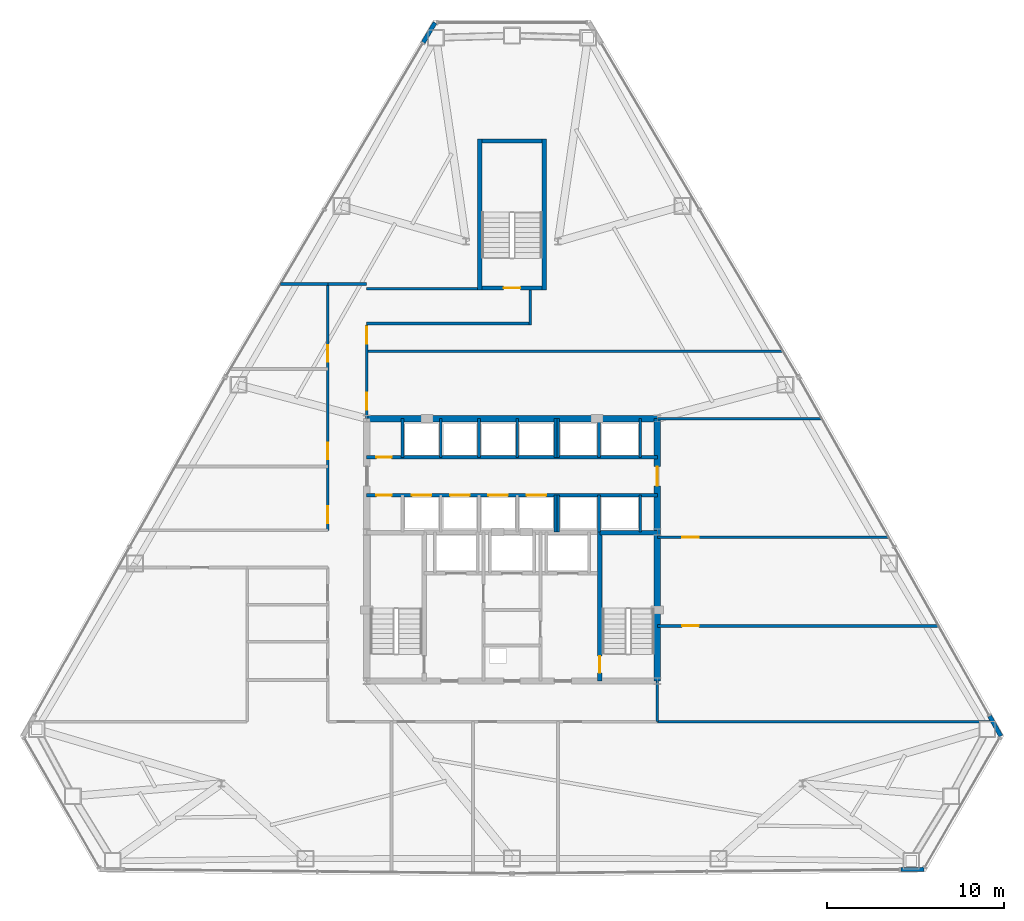
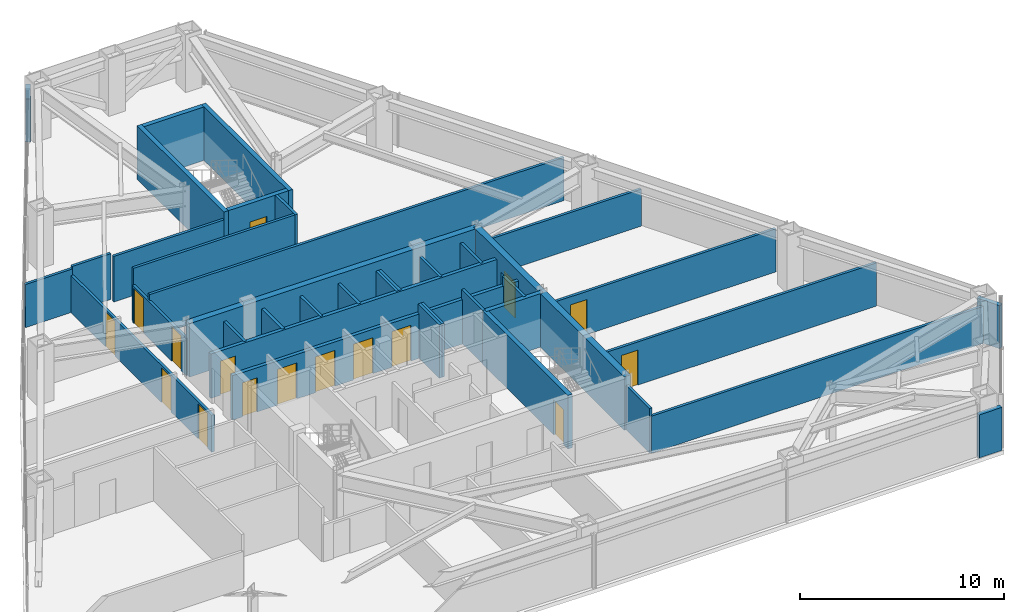
# One storey, part 11 of 13: 38 walls, 16 doors, 16 openings.
"""IFC4 building model written with IfcOpenShell, lengths in metres."""

from ifc_helpers import new_model, si_unit, direction, frame, frame_2d, origin, place, context, subcontext, project, spatial, rectangle, extrude, material, layer, layer_set, type_object, element, fill, save


model = new_model("IFC4")

# Units and contexts
model_context = context("Model", 3, precision=1e-05, world=origin(), true_north=direction((0.0, 1.0)))
body_context = subcontext(model_context, "Body", "Model", "MODEL_VIEW")
ifc_project = project(units=[si_unit("LENGTHUNIT", "METRE"), si_unit("AREAUNIT", "SQUARE_METRE"), si_unit("VOLUMEUNIT", "CUBIC_METRE"), si_unit("PLANEANGLEUNIT", "RADIAN"), si_unit("MASSUNIT", "GRAM", prefix="KILO")], contexts=[model_context])

# Site, building, storey
site_placement = place(None, origin())
site = spatial("IfcSite", under=ifc_project, at=site_placement, CompositionType="ELEMENT")
building_placement = place(site_placement, origin())
building = spatial("IfcBuilding", under=site, at=building_placement, Name="Varakhsha Concourse Tower", CompositionType="ELEMENT")
storey_placement = place(building_placement, frame((0.0, 0.0, 116.0)))
storey = spatial("IfcBuildingStorey", under=building, at=storey_placement, Name="L33", CompositionType="ELEMENT", Elevation=116.0)

# Wall
ifc_material_1 = material(Name="Concrete fc 65 MPa", Category="concrete")
ifc_layer_1 = layer(ifc_material_1, 0.35009765625, Name="WL-CORE-350")
ifc_layer_set_1 = layer_set([ifc_layer_1], Name="Concrete fc 65 MPa")
wall_type_1 = type_object("IfcWallType", Name="WL-CORE-350", PredefinedType="SHEAR", material=ifc_layer_set_1)
wall_1_placement = place(storey_placement, frame((31.800048828125, 31.199951171875, 0.0), z_axis=(0.0, 0.0, 1.0), x_axis=(1.0, 0.0, 0.0)))
element("IfcWall", 1, at=wall_1_placement, inside=storey, type_object=wall_type_1, Name="L33 Wall CWALL-N-L33", PredefinedType="SHEAR", context=body_context, shape_type="SweptSolid", body=[
    extrude(rectangle(XDim=16.39990234375, YDim=0.35009765625, at=frame_2d((8.199951171875, 0.0))), origin(), (0.0, 0.0, 1.0), 3.2099609375),
])

# Wall, opening, door
wall_2_placement = place(storey_placement, frame((48.199951171875, 16.39990234375, 0.0), z_axis=(0.0, 0.0, 1.0), x_axis=(0.0, 1.0, 0.0)))
wall_2 = element("IfcWall", 2, at=wall_2_placement, inside=storey, type_object=wall_type_1, Name="L33 Wall CWALL-E-L33", PredefinedType="SHEAR", context=body_context, shape_type="SweptSolid", body=[
    extrude(rectangle(XDim=14.800048828125, YDim=0.35009765625, at=frame_2d((7.39990234375, 0.0))), origin(), (0.0, 0.0, 1.0), 3.2099609375),
])
opening_1_placement = place(wall_2_placement, frame((11.0, 0.0, 0.0)))
opening_1 = element("IfcOpeningElement", 3, at=opening_1_placement, cuts=wall_2, Name="Opening DL-01", PredefinedType="OPENING", context=body_context, shape_type="SweptSolid", body=[
    extrude(rectangle(XDim=1.10009765625, YDim=2.14990234375, at=frame_2d((0.550048828125, 1.074951171875))), frame((0.0, 0.18505859375, 0.0), z_axis=(0.0, -1.0, 0.0), x_axis=(1.0, 0.0, 0.0)), (0.0, 0.0, 1.0), 0.3701171875),
])
ifc_material_2 = material(Name="Anodised Bronze Architectural Aluminium AA 6063-T6", Category="aluminium")
door_type_1 = type_object("IfcDoorType", Name="DR-LOB-1100", OperationType="NOTDEFINED", PredefinedType="DOOR", material=ifc_material_2)
door_1_placement = place(opening_1_placement, origin())
door_1 = element("IfcDoor", 4, at=door_1_placement, inside=storey, type_object=door_type_1, Name="L33 Lift Lobby East Concourse Door", OperationType="SINGLE_SWING_RIGHT", OverallHeight=2.14990234375, OverallWidth=1.10009765625, PredefinedType="DOOR", context=body_context, shape_type="SweptSolid", body=[
    extrude(rectangle(XDim=1.10009765625, YDim=2.14990234375, at=frame_2d((0.550048828125, 1.074951171875))), frame((0.0, 0.02490234375, 0.0), z_axis=(0.0, -1.0, 0.0), x_axis=(1.0, 0.0, 0.0)), (0.0, 0.0, 1.0), 0.050048828125),
])
fill(opening_1, door_1)

# Walls
ifc_material_3 = material(Name="Concrete fc 45 MPa", Category="concrete")
ifc_layer_2 = layer(ifc_material_3, 0.239990234375, Name="WL-EXT-CRN-240")
ifc_layer_set_2 = layer_set([ifc_layer_2], Name="Concrete fc 45 MPa")
wall_type_2 = type_object("IfcWallType", Name="WL-EXT-CRN-240", PredefinedType="SHEAR", material=ifc_layer_set_2)
for number, where, z_axis, x_axis, name in (
    (5, (35.6552734375, 53.55615234375, 0.0), (0.0, 0.0, 1.0), (-0.508842797401, -0.860859458642, 0.0), "L33 Wind-Corner Shoulder Wall F2"),
    (6, (61.9462890625, 5.745849609375, 0.0), (0.0, 0.0, 1.0), (0.999948931405, 0.010106165506, 0.0), "L33 Wind-Corner Shoulder Wall F6"),
    (7, (67.595703125, 13.28466796875, 0.0), (0.0, 0.0, 1.0), (-0.4912738615, 0.871005162446, 0.0), "L33 Wind-Corner Shoulder Wall F8"),
):
    element("IfcWall", number, at=place(storey_placement, frame(where, z_axis=z_axis, x_axis=x_axis)), inside=storey, type_object=wall_type_2, Name=name, PredefinedType="SHEAR", context=body_context, shape_type="SweptSolid", body=[
        extrude(rectangle(XDim=1.304443359375, YDim=0.239990234375, at=frame_2d((0.65234375, 0.0))), origin(), (0.0, 0.0, 1.0), 2.5830078125),
    ])
ifc_material_4 = material(Name="Fire-Rated Type X Gypsum Partition Assembly", Category="gypsum")
ifc_layer_3 = layer(ifc_material_4, 0.14990234375, Name="WL-PART-150")
ifc_layer_set_3 = layer_set([ifc_layer_3], Name="Fire-Rated Type X Gypsum Partition Assembly")
wall_type_3 = type_object("IfcWallType", Name="WL-PART-150", PredefinedType="PARTITIONING", material=ifc_layer_set_3)
wall_3_placement = place(storey_placement, frame((48.199951171875, 14.10009765625, 0.0), z_axis=(0.0, 0.0, 1.0), x_axis=(0.0, 1.0, 0.0)))
element("IfcWall", 8, at=wall_3_placement, inside=storey, type_object=wall_type_3, Name="L33 Wall CRW-SE-L33", PredefinedType="PARTITIONING", context=body_context, shape_type="SweptSolid", body=[
    extrude(rectangle(XDim=2.2998046875, YDim=0.14990234375, at=frame_2d((1.14990234375, 0.0))), origin(), (0.0, 0.0, 1.0), 2.660888671875),
])

# Wall, openings, doors
wall_4_placement = place(storey_placement, frame((29.60009765625, 24.89990234375, 0.0), z_axis=(0.0, 0.0, 1.0), x_axis=(0.0, 1.0, 0.0)))
wall_4 = element("IfcWall", 9, at=wall_4_placement, inside=storey, type_object=wall_type_3, Name="L33 Wall CRW-WN-L33", PredefinedType="PARTITIONING", context=body_context, shape_type="SweptSolid", body=[
    extrude(rectangle(XDim=13.900146484375, YDim=0.14990234375, at=frame_2d((6.9501953125, 0.0))), origin(), (0.0, 0.0, 1.0), 2.22509765625),
])
opening_2_placement = place(wall_4_placement, frame((0.39990234375, 0.0, 0.0)))
opening_2 = element("IfcOpeningElement", 10, at=opening_2_placement, cuts=wall_4, Name="Opening DF-05", PredefinedType="OPENING", context=body_context, shape_type="SweptSolid", body=[
    extrude(rectangle(XDim=0.949951171875, YDim=2.10009765625, at=frame_2d((0.47509765625, 1.050048828125))), frame((0.0, 0.0849609375, 0.0), z_axis=(0.0, -1.0, 0.0), x_axis=(1.0, 0.0, 0.0)), (0.0, 0.0, 1.0), 0.169921875),
])
opening_3_placement = place(wall_4_placement, frame((4.0, 0.0, 0.0)))
opening_3 = element("IfcOpeningElement", 11, at=opening_3_placement, cuts=wall_4, Name="Opening DF-05", PredefinedType="OPENING", context=body_context, shape_type="SweptSolid", body=[
    extrude(rectangle(XDim=0.949951171875, YDim=2.10009765625, at=frame_2d((0.47509765625, 1.050048828125))), frame((0.0, 0.0849609375, 0.0), z_axis=(0.0, -1.0, 0.0), x_axis=(1.0, 0.0, 0.0)), (0.0, 0.0, 1.0), 0.169921875),
])
opening_4_placement = place(wall_4_placement, frame((9.5, 0.0, 0.0)))
opening_4 = element("IfcOpeningElement", 12, at=opening_4_placement, cuts=wall_4, Name="Opening DF-05", PredefinedType="OPENING", context=body_context, shape_type="SweptSolid", body=[
    extrude(rectangle(XDim=0.949951171875, YDim=2.10009765625, at=frame_2d((0.47509765625, 1.050048828125))), frame((0.0, 0.0849609375, 0.0), z_axis=(0.0, -1.0, 0.0), x_axis=(1.0, 0.0, 0.0)), (0.0, 0.0, 1.0), 0.169921875),
])
ifc_material_5 = material(Name="Hollow Galvanised Steel Fire Door Assembly", Category="steel")
door_type_2 = type_object("IfcDoorType", Name="DR-FD60-950", OperationType="NOTDEFINED", PredefinedType="DOOR", material=ifc_material_5)
door_2_placement = place(opening_2_placement, origin())
door_2 = element("IfcDoor", 13, at=door_2_placement, inside=storey, type_object=door_type_2, Name="L33 Chambers Break Kitchen L33-NW Door", OperationType="SINGLE_SWING_LEFT", OverallHeight=2.10009765625, OverallWidth=0.949951171875, PredefinedType="DOOR", context=body_context, shape_type="SweptSolid", body=[
    extrude(rectangle(XDim=0.949951171875, YDim=2.10009765625, at=frame_2d((0.47509765625, 1.050048828125))), frame((0.0, 0.02490234375, 0.0), z_axis=(0.0, -1.0, 0.0), x_axis=(1.0, 0.0, 0.0)), (0.0, 0.0, 1.0), 0.050048828125),
])
fill(opening_2, door_2)
door_3_placement = place(opening_3_placement, origin())
door_3 = element("IfcDoor", 14, at=door_3_placement, inside=storey, type_object=door_type_2, Name="L33 Senior Partner Chamber L33-W2 Door", OperationType="SINGLE_SWING_RIGHT", OverallHeight=2.10009765625, OverallWidth=0.949951171875, PredefinedType="DOOR", context=body_context, shape_type="SweptSolid", body=[
    extrude(rectangle(XDim=0.949951171875, YDim=2.10009765625, at=frame_2d((0.47509765625, 1.050048828125))), frame((0.0, 0.02490234375, 0.0), z_axis=(0.0, -1.0, 0.0), x_axis=(1.0, 0.0, 0.0)), (0.0, 0.0, 1.0), 0.050048828125),
])
fill(opening_3, door_3)
door_4_placement = place(opening_4_placement, origin())
door_4 = element("IfcDoor", 15, at=door_4_placement, inside=storey, type_object=door_type_2, Name="L33 Senior Partner Chamber L33-W3 Door", OperationType="SINGLE_SWING_LEFT", OverallHeight=2.10009765625, OverallWidth=0.949951171875, PredefinedType="DOOR", context=body_context, shape_type="SweptSolid", body=[
    extrude(rectangle(XDim=0.949951171875, YDim=2.10009765625, at=frame_2d((0.47509765625, 1.050048828125))), frame((0.0, 0.02490234375, 0.0), z_axis=(0.0, -1.0, 0.0), x_axis=(1.0, 0.0, 0.0)), (0.0, 0.0, 1.0), 0.050048828125),
])
fill(opening_4, door_4)

wall_5_placement = place(storey_placement, frame((31.800048828125, 31.199951171875, 0.0), z_axis=(0.0, 0.0, 1.0), x_axis=(0.0, 1.0, 0.0)))
wall_5 = element("IfcWall", 16, at=wall_5_placement, inside=storey, type_object=wall_type_3, Name="L33 Wall CRW-NE-L33", PredefinedType="PARTITIONING", context=body_context, shape_type="SweptSolid", body=[
    extrude(rectangle(XDim=5.300048828125, YDim=0.14990234375, at=frame_2d((2.64990234375, 0.0))), origin(), (0.0, 0.0, 1.0), 2.22509765625),
])
opening_5_placement = place(wall_5_placement, frame((0.5, 0.0, 0.0)))
opening_5 = element("IfcOpeningElement", 17, at=opening_5_placement, cuts=wall_5, Name="Opening DF-05", PredefinedType="OPENING", context=body_context, shape_type="SweptSolid", body=[
    extrude(rectangle(XDim=0.949951171875, YDim=2.10009765625, at=frame_2d((0.47509765625, 1.050048828125))), frame((0.0, 0.0849609375, 0.0), z_axis=(0.0, -1.0, 0.0), x_axis=(1.0, 0.0, 0.0)), (0.0, 0.0, 1.0), 0.169921875),
])
opening_6_placement = place(wall_5_placement, frame((4.22998046875, 0.0, 0.0)))
opening_6 = element("IfcOpeningElement", 18, at=opening_6_placement, cuts=wall_5, Name="Opening DF-05", PredefinedType="OPENING", context=body_context, shape_type="SweptSolid", body=[
    extrude(rectangle(XDim=0.949951171875, YDim=2.10009765625, at=frame_2d((0.47509765625, 1.050048828125))), frame((0.0, 0.0849609375, 0.0), z_axis=(0.0, -1.0, 0.0), x_axis=(1.0, 0.0, 0.0)), (0.0, 0.0, 1.0), 0.169921875),
])
door_5_placement = place(opening_5_placement, origin())
door_5 = element("IfcDoor", 19, at=door_5_placement, inside=storey, type_object=door_type_2, Name="L33 Mountain View Deposition Conference Room L33-NE1 Door", OperationType="SINGLE_SWING_RIGHT", OverallHeight=2.10009765625, OverallWidth=0.949951171875, PredefinedType="DOOR", context=body_context, shape_type="SweptSolid", body=[
    extrude(rectangle(XDim=0.949951171875, YDim=2.10009765625, at=frame_2d((0.47509765625, 1.050048828125))), frame((0.0, 0.02490234375, 0.0), z_axis=(0.0, -1.0, 0.0), x_axis=(1.0, 0.0, 0.0)), (0.0, 0.0, 1.0), 0.050048828125),
])
fill(opening_5, door_5)
door_6_placement = place(opening_6_placement, origin())
door_6 = element("IfcDoor", 20, at=door_6_placement, inside=storey, type_object=door_type_2, Name="L33 Apex Senior Partner Chamber L33-NE2 Door", OperationType="SINGLE_SWING_RIGHT", OverallHeight=2.10009765625, OverallWidth=0.949951171875, PredefinedType="DOOR", context=body_context, shape_type="SweptSolid", body=[
    extrude(rectangle(XDim=0.949951171875, YDim=2.10009765625, at=frame_2d((0.47509765625, 1.050048828125))), frame((0.0, 0.02490234375, 0.0), z_axis=(0.0, -1.0, 0.0), x_axis=(1.0, 0.0, 0.0)), (0.0, 0.0, 1.0), 0.050048828125),
])
fill(opening_6, door_6)

# Walls
wall_6_placement = place(storey_placement, frame((29.60009765625, 38.800048828125, 0.0), z_axis=(0.0, 0.0, 1.0), x_axis=(1.0, 0.0, 0.0)))
element("IfcWall", 21, at=wall_6_placement, inside=storey, type_object=wall_type_3, Name="L33 Wall CRW-NCAP-L33", PredefinedType="PARTITIONING", context=body_context, shape_type="SweptSolid", body=[
    extrude(rectangle(XDim=2.199951171875, YDim=0.14990234375, at=frame_2d((1.10009765625, 0.0))), origin(), (0.0, 0.0, 1.0), 2.742919921875),
])
wall_7_placement = place(storey_placement, frame((26.939453125, 38.800048828125, 0.0), z_axis=(0.0, 0.0, 1.0), x_axis=(1.0, 0.0, 0.0)))
element("IfcWall", 22, at=wall_7_placement, inside=storey, type_object=wall_type_3, Name="L33 Wall ODIV-NWT-L33", PredefinedType="PARTITIONING", context=body_context, shape_type="SweptSolid", body=[
    extrude(rectangle(XDim=2.66064453125, YDim=0.14990234375, at=frame_2d((1.330322265625, 0.0))), origin(), (0.0, 0.0, 1.0), 2.589111328125),
])
wall_8_placement = place(storey_placement, frame((48.199951171875, 31.199951171875, 0.0), z_axis=(0.0, 0.0, 1.0), x_axis=(1.0, 0.0, 0.0)))
element("IfcWall", 23, at=wall_8_placement, inside=storey, type_object=wall_type_3, Name="L33 Wall ODIV-NEB-L33", PredefinedType="PARTITIONING", context=body_context, shape_type="SweptSolid", body=[
    extrude(rectangle(XDim=9.288818359375, YDim=0.14990234375, at=frame_2d((4.64453125, 0.0))), origin(), (0.0, 0.0, 1.0), 2.22509765625),
])
wall_9_placement = place(storey_placement, frame((31.800048828125, 35.0, 0.0), z_axis=(0.0, 0.0, 1.0), x_axis=(1.0, 0.0, 0.0)))
element("IfcWall", 24, at=wall_9_placement, inside=storey, type_object=wall_type_3, Name="L33 Wall ODIV-NE1-L33", PredefinedType="PARTITIONING", context=body_context, shape_type="SweptSolid", body=[
    extrude(rectangle(XDim=23.50634765625, YDim=0.14990234375, at=frame_2d((11.753173828125, 0.0))), origin(), (0.0, 0.0, 1.0), 2.589111328125),
])
wall_10_placement = place(storey_placement, frame((48.199951171875, 14.10009765625, 0.0), z_axis=(0.0, 0.0, 1.0), x_axis=(1.0, 0.0, 0.0)))
element("IfcWall", 25, at=wall_10_placement, inside=storey, type_object=wall_type_3, Name="L33 Wall ODIV-EB0-L33", PredefinedType="PARTITIONING", context=body_context, shape_type="SweptSolid", body=[
    extrude(rectangle(XDim=18.93017578125, YDim=0.14990234375, at=frame_2d((9.465087890625, 0.0))), origin(), (0.0, 0.0, 1.0), 2.22509765625),
])

# Wall, opening, door
wall_11_placement = place(storey_placement, frame((48.199951171875, 19.5, 0.0), z_axis=(0.0, 0.0, 1.0), x_axis=(1.0, 0.0, 0.0)))
wall_11 = element("IfcWall", 26, at=wall_11_placement, inside=storey, type_object=wall_type_3, Name="L33 Wall ODIV-E1-L33", PredefinedType="PARTITIONING", context=body_context, shape_type="SweptSolid", body=[
    extrude(rectangle(XDim=15.885498046875, YDim=0.14990234375, at=frame_2d((7.94287109375, 0.0))), origin(), (0.0, 0.0, 1.0), 2.589111328125),
])
opening_7_placement = place(wall_11_placement, frame((1.39990234375, 0.0, 0.0)))
opening_7 = element("IfcOpeningElement", 27, at=opening_7_placement, cuts=wall_11, Name="Opening DF-05", PredefinedType="OPENING", context=body_context, shape_type="SweptSolid", body=[
    extrude(rectangle(XDim=0.949951171875, YDim=2.10009765625, at=frame_2d((0.47509765625, 1.050048828125))), frame((0.0, 0.0849609375, 0.0), z_axis=(0.0, -1.0, 0.0), x_axis=(1.0, 0.0, 0.0)), (0.0, 0.0, 1.0), 0.169921875),
])
door_7_placement = place(opening_7_placement, origin())
door_7 = element("IfcDoor", 28, at=door_7_placement, inside=storey, type_object=door_type_2, Name="L33 East Suite Interconnect Door 1", OperationType="SINGLE_SWING_LEFT", OverallHeight=2.10009765625, OverallWidth=0.949951171875, PredefinedType="DOOR", context=body_context, shape_type="SweptSolid", body=[
    extrude(rectangle(XDim=0.949951171875, YDim=2.10009765625, at=frame_2d((0.47509765625, 1.050048828125))), frame((0.0, 0.02490234375, 0.0), z_axis=(0.0, -1.0, 0.0), x_axis=(1.0, 0.0, 0.0)), (0.0, 0.0, 1.0), 0.050048828125),
])
fill(opening_7, door_7)

wall_12_placement = place(storey_placement, frame((48.199951171875, 24.5, 0.0), z_axis=(0.0, 0.0, 1.0), x_axis=(1.0, 0.0, 0.0)))
wall_12 = element("IfcWall", 29, at=wall_12_placement, inside=storey, type_object=wall_type_3, Name="L33 Wall ODIV-E2-L33", PredefinedType="PARTITIONING", context=body_context, shape_type="SweptSolid", body=[
    extrude(rectangle(XDim=13.06640625, YDim=0.14990234375, at=frame_2d((6.533203125, 0.0))), origin(), (0.0, 0.0, 1.0), 2.589111328125),
])
opening_8_placement = place(wall_12_placement, frame((1.39990234375, 0.0, 0.0)))
opening_8 = element("IfcOpeningElement", 30, at=opening_8_placement, cuts=wall_12, Name="Opening DF-05", PredefinedType="OPENING", context=body_context, shape_type="SweptSolid", body=[
    extrude(rectangle(XDim=0.949951171875, YDim=2.10009765625, at=frame_2d((0.47509765625, 1.050048828125))), frame((0.0, 0.0849609375, 0.0), z_axis=(0.0, -1.0, 0.0), x_axis=(1.0, 0.0, 0.0)), (0.0, 0.0, 1.0), 0.169921875),
])
door_8_placement = place(opening_8_placement, origin())
door_8 = element("IfcDoor", 31, at=door_8_placement, inside=storey, type_object=door_type_2, Name="L33 East Suite Interconnect Door 2", OperationType="SINGLE_SWING_RIGHT", OverallHeight=2.10009765625, OverallWidth=0.949951171875, PredefinedType="DOOR", context=body_context, shape_type="SweptSolid", body=[
    extrude(rectangle(XDim=0.949951171875, YDim=2.10009765625, at=frame_2d((0.47509765625, 1.050048828125))), frame((0.0, 0.02490234375, 0.0), z_axis=(0.0, -1.0, 0.0), x_axis=(1.0, 0.0, 0.0)), (0.0, 0.0, 1.0), 0.050048828125),
])
fill(opening_8, door_8)

# Walls
wall_13_placement = place(storey_placement, frame((31.800048828125, 36.574951171875, 0.0), z_axis=(0.0, 0.0, 1.0), x_axis=(1.0, 0.0, 0.0)))
element("IfcWall", 32, at=wall_13_placement, inside=storey, type_object=wall_type_3, Name="L33 Wall STLK-S-L33", PredefinedType="PARTITIONING", context=body_context, shape_type="SweptSolid", body=[
    extrude(rectangle(XDim=9.14990234375, YDim=0.14990234375, at=frame_2d((4.574951171875, 0.0))), origin(), (0.0, 0.0, 1.0), 3.2099609375),
])
wall_14_placement = place(storey_placement, frame((31.800048828125, 38.52490234375, 0.0), z_axis=(0.0, 0.0, 1.0), x_axis=(1.0, 0.0, 0.0)))
element("IfcWall", 33, at=wall_14_placement, inside=storey, type_object=wall_type_3, Name="L33 Wall STLK-N-L33", PredefinedType="PARTITIONING", context=body_context, shape_type="SweptSolid", body=[
    extrude(rectangle(XDim=6.25, YDim=0.14990234375, at=frame_2d((3.125, 0.0))), origin(), (0.0, 0.0, 1.0), 2.742919921875),
])
wall_15_placement = place(storey_placement, frame((41.02490234375, 36.5, 0.0), z_axis=(0.0, 0.0, 1.0), x_axis=(0.0, 1.0, 0.0)))
element("IfcWall", 34, at=wall_15_placement, inside=storey, type_object=wall_type_3, Name="L33 Wall STLK-E-L33", PredefinedType="PARTITIONING", context=body_context, shape_type="SweptSolid", body=[
    extrude(rectangle(XDim=1.949951171875, YDim=0.14990234375, at=frame_2d((0.97509765625, 0.0))), origin(), (0.0, 0.0, 1.0), 3.2099609375),
])

# Wall, opening, door
ifc_layer_4 = layer(ifc_material_4, 0.199951171875, Name="WL-SHAFT-220")
ifc_layer_set_4 = layer_set([ifc_layer_4], Name="Fire-Rated Type X Gypsum Partition Assembly")
wall_type_4 = type_object("IfcWallType", Name="WL-SHAFT-220", PredefinedType="SOLIDWALL", material=ifc_layer_set_4)
wall_16_placement = place(storey_placement, frame((31.800048828125, 29.02001953125, 0.0), z_axis=(0.0, 0.0, 1.0), x_axis=(1.0, 0.0, 0.0)))
wall_16 = element("IfcWall", 35, at=wall_16_placement, inside=storey, type_object=wall_type_4, Name="L33 Wall PLW-N-L33", PredefinedType="SOLIDWALL", context=body_context, shape_type="SweptSolid", body=[
    extrude(rectangle(XDim=16.39990234375, YDim=0.199951171875, at=frame_2d((8.199951171875, 0.0))), origin(), (0.0, 0.0, 1.0), 2.660888671875),
])
opening_9_placement = place(wall_16_placement, frame((0.550048828125, 0.0, 0.0)))
opening_9 = element("IfcOpeningElement", 36, at=opening_9_placement, cuts=wall_16, Name="Opening DF-07", PredefinedType="OPENING", context=body_context, shape_type="SweptSolid", body=[
    extrude(rectangle(XDim=0.85009765625, YDim=2.050048828125, at=frame_2d((0.425048828125, 1.02490234375))), frame((0.0, 0.10986328125, 0.0), z_axis=(0.0, -1.0, 0.0), x_axis=(1.0, 0.0, 0.0)), (0.0, 0.0, 1.0), 0.219970703125),
])
door_type_3 = type_object("IfcDoorType", Name="DR-FD60-850", OperationType="NOTDEFINED", PredefinedType="DOOR", material=ifc_material_5)
door_9_placement = place(opening_9_placement, origin())
door_9 = element("IfcDoor", 37, at=door_9_placement, inside=storey, type_object=door_type_3, Name="L33 Core Janitor Closet Door", OperationType="SINGLE_SWING_LEFT", OverallHeight=2.050048828125, OverallWidth=0.85009765625, PredefinedType="DOOR", context=body_context, shape_type="SweptSolid", body=[
    extrude(rectangle(XDim=0.85009765625, YDim=2.050048828125, at=frame_2d((0.425048828125, 1.02490234375))), frame((0.0, 0.02490234375, 0.0), z_axis=(0.0, -1.0, 0.0), x_axis=(1.0, 0.0, 0.0)), (0.0, 0.0, 1.0), 0.050048828125),
])
fill(opening_9, door_9)

# Wall, openings, doors
wall_17_placement = place(storey_placement, frame((31.800048828125, 26.8798828125, 0.0), z_axis=(0.0, 0.0, 1.0), x_axis=(1.0, 0.0, 0.0)))
wall_17 = element("IfcWall", 38, at=wall_17_placement, inside=storey, type_object=wall_type_4, Name="L33 Wall PLW-S-L33", PredefinedType="SOLIDWALL", context=body_context, shape_type="SweptSolid", body=[
    extrude(rectangle(XDim=16.39990234375, YDim=0.199951171875, at=frame_2d((8.199951171875, 0.0))), origin(), (0.0, 0.0, 1.0), 2.660888671875),
])
opening_10_placement = place(wall_17_placement, frame((0.550048828125, 0.0, 0.0)))
opening_10 = element("IfcOpeningElement", 39, at=opening_10_placement, cuts=wall_17, Name="Opening DF-07", PredefinedType="OPENING", context=body_context, shape_type="SweptSolid", body=[
    extrude(rectangle(XDim=0.85009765625, YDim=2.050048828125, at=frame_2d((0.425048828125, 1.02490234375))), frame((0.0, 0.10986328125, 0.0), z_axis=(0.0, -1.0, 0.0), x_axis=(1.0, 0.0, 0.0)), (0.0, 0.0, 1.0), 0.219970703125),
])
opening_11_placement = place(wall_17_placement, frame((2.550048828125, 0.0, 0.0)))
opening_11 = element("IfcOpeningElement", 40, at=opening_11_placement, cuts=wall_17, Name="Opening LD-LF-P05", PredefinedType="OPENING", context=body_context, shape_type="SweptSolid", body=[
    extrude(rectangle(XDim=1.10009765625, YDim=2.14990234375, at=frame_2d((0.550048828125, 1.074951171875))), frame((0.0, 0.10986328125, 0.0), z_axis=(0.0, -1.0, 0.0), x_axis=(1.0, 0.0, 0.0)), (0.0, 0.0, 1.0), 0.219970703125),
])
opening_12_placement = place(wall_17_placement, frame((4.7099609375, 0.0, 0.0)))
opening_12 = element("IfcOpeningElement", 41, at=opening_12_placement, cuts=wall_17, Name="Opening LD-LF-P06", PredefinedType="OPENING", context=body_context, shape_type="SweptSolid", body=[
    extrude(rectangle(XDim=1.10009765625, YDim=2.14990234375, at=frame_2d((0.550048828125, 1.074951171875))), frame((0.0, 0.10986328125, 0.0), z_axis=(0.0, -1.0, 0.0), x_axis=(1.0, 0.0, 0.0)), (0.0, 0.0, 1.0), 0.219970703125),
])
opening_13_placement = place(wall_17_placement, frame((6.8701171875, 0.0, 0.0)))
opening_13 = element("IfcOpeningElement", 42, at=opening_13_placement, cuts=wall_17, Name="Opening LD-LF-P07", PredefinedType="OPENING", context=body_context, shape_type="SweptSolid", body=[
    extrude(rectangle(XDim=1.10009765625, YDim=2.14990234375, at=frame_2d((0.550048828125, 1.074951171875))), frame((0.0, 0.10986328125, 0.0), z_axis=(0.0, -1.0, 0.0), x_axis=(1.0, 0.0, 0.0)), (0.0, 0.0, 1.0), 0.219970703125),
])
opening_14_placement = place(wall_17_placement, frame((9.030029296875, 0.0, 0.0)))
opening_14 = element("IfcOpeningElement", 43, at=opening_14_placement, cuts=wall_17, Name="Opening LD-LF-P08", PredefinedType="OPENING", context=body_context, shape_type="SweptSolid", body=[
    extrude(rectangle(XDim=1.10009765625, YDim=2.14990234375, at=frame_2d((0.550048828125, 1.074951171875))), frame((0.0, 0.10986328125, 0.0), z_axis=(0.0, -1.0, 0.0), x_axis=(1.0, 0.0, 0.0)), (0.0, 0.0, 1.0), 0.219970703125),
])
door_10_placement = place(opening_10_placement, origin())
door_10 = element("IfcDoor", 44, at=door_10_placement, inside=storey, type_object=door_type_3, Name="L33 Core Telecoms Closet Door", OperationType="SINGLE_SWING_RIGHT", OverallHeight=2.050048828125, OverallWidth=0.85009765625, PredefinedType="DOOR", context=body_context, shape_type="SweptSolid", body=[
    extrude(rectangle(XDim=0.85009765625, YDim=2.050048828125, at=frame_2d((0.425048828125, 1.02490234375))), frame((0.0, 0.02490234375, 0.0), z_axis=(0.0, -1.0, 0.0), x_axis=(1.0, 0.0, 0.0)), (0.0, 0.0, 1.0), 0.050048828125),
])
fill(opening_10, door_10)
ifc_material_6 = material(Name="Brushed Austenitic Stainless Steel AISI 316", Category="steel")
door_type_4 = type_object("IfcDoorType", Name="DR-LD-1100", OperationType="DOUBLE_DOOR_SLIDING", PredefinedType="DOOR", material=ifc_material_6)
door_11_placement = place(opening_11_placement, origin())
door_11 = element("IfcDoor", 45, at=door_11_placement, inside=storey, type_object=door_type_4, Name="Lift Landing Door LF-P05 L33", OperationType="DOUBLE_DOOR_SLIDING", OverallHeight=2.14990234375, OverallWidth=1.10009765625, PredefinedType="DOOR", context=body_context, shape_type="SweptSolid", body=[
    extrude(rectangle(XDim=1.10009765625, YDim=2.14990234375, at=frame_2d((0.550048828125, 1.074951171875))), frame((0.0, 0.02490234375, 0.0), z_axis=(0.0, -1.0, 0.0), x_axis=(1.0, 0.0, 0.0)), (0.0, 0.0, 1.0), 0.050048828125),
])
fill(opening_11, door_11)
door_12_placement = place(opening_12_placement, origin())
door_12 = element("IfcDoor", 46, at=door_12_placement, inside=storey, type_object=door_type_4, Name="Lift Landing Door LF-P06 L33", OperationType="DOUBLE_DOOR_SLIDING", OverallHeight=2.14990234375, OverallWidth=1.10009765625, PredefinedType="DOOR", context=body_context, shape_type="SweptSolid", body=[
    extrude(rectangle(XDim=1.10009765625, YDim=2.14990234375, at=frame_2d((0.550048828125, 1.074951171875))), frame((0.0, 0.02490234375, 0.0), z_axis=(0.0, -1.0, 0.0), x_axis=(1.0, 0.0, 0.0)), (0.0, 0.0, 1.0), 0.050048828125),
])
fill(opening_12, door_12)
door_13_placement = place(opening_13_placement, origin())
door_13 = element("IfcDoor", 47, at=door_13_placement, inside=storey, type_object=door_type_4, Name="Lift Landing Door LF-P07 L33", OperationType="DOUBLE_DOOR_SLIDING", OverallHeight=2.14990234375, OverallWidth=1.10009765625, PredefinedType="DOOR", context=body_context, shape_type="SweptSolid", body=[
    extrude(rectangle(XDim=1.10009765625, YDim=2.14990234375, at=frame_2d((0.550048828125, 1.074951171875))), frame((0.0, 0.02490234375, 0.0), z_axis=(0.0, -1.0, 0.0), x_axis=(1.0, 0.0, 0.0)), (0.0, 0.0, 1.0), 0.050048828125),
])
fill(opening_13, door_13)
door_14_placement = place(opening_14_placement, origin())
door_14 = element("IfcDoor", 48, at=door_14_placement, inside=storey, type_object=door_type_4, Name="Lift Landing Door LF-P08 L33", OperationType="DOUBLE_DOOR_SLIDING", OverallHeight=2.14990234375, OverallWidth=1.10009765625, PredefinedType="DOOR", context=body_context, shape_type="SweptSolid", body=[
    extrude(rectangle(XDim=1.10009765625, YDim=2.14990234375, at=frame_2d((0.550048828125, 1.074951171875))), frame((0.0, 0.02490234375, 0.0), z_axis=(0.0, -1.0, 0.0), x_axis=(1.0, 0.0, 0.0)), (0.0, 0.0, 1.0), 0.050048828125),
])
fill(opening_14, door_14)

# Walls
for number, where, z_axis, x_axis, name in (
    (49, (33.820068359375, 29.02001953125, 0.0), (0.0, 0.0, 1.0), (0.0, 1.0, 0.0), "L33 Wall WBOH-E1-L33"),
    (50, (35.97998046875, 29.02001953125, 0.0), (0.0, 0.0, 1.0), (0.0, 1.0, 0.0), "L33 Wall SHW-LF-P01-E-L33"),
    (51, (38.139892578125, 29.02001953125, 0.0), (0.0, 0.0, 1.0), (0.0, 1.0, 0.0), "L33 Wall SHW-LF-P02-E-L33"),
    (52, (40.300048828125, 29.02001953125, 0.0), (0.0, 0.0, 1.0), (0.0, 1.0, 0.0), "L33 Wall SHW-LF-P03-E-L33"),
    (53, (42.4599609375, 29.02001953125, 0.0), (0.0, 0.0, 1.0), (0.0, 1.0, 0.0), "L33 Wall SHW-LF-P04-E-L33"),
):
    element("IfcWall", number, at=place(storey_placement, frame(where, z_axis=z_axis, x_axis=x_axis)), inside=storey, type_object=wall_type_4, Name=name, PredefinedType="SOLIDWALL", context=body_context, shape_type="SweptSolid", body=[
        extrude(rectangle(XDim=2.179931640625, YDim=0.159912109375, at=frame_2d((1.08984375, 0.0))), origin(), (0.0, 0.0, 1.0), 2.660888671875),
    ])
wall_18_placement = place(storey_placement, frame((42.4599609375, 24.800048828125, 0.0), z_axis=(0.0, 0.0, 1.0), x_axis=(0.0, 1.0, 0.0)))
element("IfcWall", 54, at=wall_18_placement, inside=storey, type_object=wall_type_4, Name="L33 Wall SHW-LF-P08-E-L33", PredefinedType="SOLIDWALL", context=body_context, shape_type="SweptSolid", body=[
    extrude(rectangle(XDim=2.079833984375, YDim=0.159912109375, at=frame_2d((1.0400390625, 0.0))), origin(), (0.0, 0.0, 1.0), 3.2099609375),
])
for number, where, z_axis, x_axis, name in (
    (55, (42.60009765625, 29.02001953125, 0.0), (0.0, 0.0, 1.0), (0.0, 1.0, 0.0), "L33 Wall SHW-LF-P09-W-L33"),
    (56, (44.919921875, 29.02001953125, 0.0), (0.0, 0.0, 1.0), (0.0, 1.0, 0.0), "L33 Wall SHW-LF-P09-E-L33"),
    (57, (47.239990234375, 29.02001953125, 0.0), (0.0, 0.0, 1.0), (0.0, 1.0, 0.0), "L33 Wall SHW-LF-P10-E-L33"),
):
    element("IfcWall", number, at=place(storey_placement, frame(where, z_axis=z_axis, x_axis=x_axis)), inside=storey, type_object=wall_type_4, Name=name, PredefinedType="SOLIDWALL", context=body_context, shape_type="SweptSolid", body=[
        extrude(rectangle(XDim=2.179931640625, YDim=0.159912109375, at=frame_2d((1.08984375, 0.0))), origin(), (0.0, 0.0, 1.0), 2.660888671875),
    ])
for number, where, z_axis, x_axis, name in (
    (58, (42.60009765625, 24.800048828125, 0.0), (0.0, 0.0, 1.0), (0.0, 1.0, 0.0), "L33 Wall SHW-LF-P11-W-L33"),
    (59, (44.919921875, 24.800048828125, 0.0), (0.0, 0.0, 1.0), (0.0, 1.0, 0.0), "L33 Wall SHW-LF-P11-E-L33"),
    (60, (47.239990234375, 24.800048828125, 0.0), (0.0, 0.0, 1.0), (0.0, 1.0, 0.0), "L33 Wall SHW-LF-P12-E-L33"),
):
    element("IfcWall", number, at=place(storey_placement, frame(where, z_axis=z_axis, x_axis=x_axis)), inside=storey, type_object=wall_type_4, Name=name, PredefinedType="SOLIDWALL", context=body_context, shape_type="SweptSolid", body=[
        extrude(rectangle(XDim=2.079833984375, YDim=0.159912109375, at=frame_2d((1.0400390625, 0.0))), origin(), (0.0, 0.0, 1.0), 3.2099609375),
    ])

# Wall, opening, door
ifc_layer_5 = layer(ifc_material_3, 0.25, Name="WL-STAIR-250")
ifc_layer_set_5 = layer_set([ifc_layer_5], Name="Concrete fc 45 MPa")
wall_type_5 = type_object("IfcWallType", Name="WL-STAIR-250", PredefinedType="SHEAR", material=ifc_layer_set_5)
wall_19_placement = place(storey_placement, frame((44.955078125, 16.39990234375, 0.0), z_axis=(0.0, 0.0, 1.0), x_axis=(0.0, 1.0, 0.0)))
wall_19 = element("IfcWall", 61, at=wall_19_placement, inside=storey, type_object=wall_type_5, Name="L33 Wall SWALL-ST2-W-L33", PredefinedType="SHEAR", context=body_context, shape_type="SweptSolid", body=[
    extrude(rectangle(XDim=8.400146484375, YDim=0.25, at=frame_2d((4.2001953125, 0.0))), origin(), (0.0, 0.0, 1.0), 3.2099609375),
])
opening_15_placement = place(wall_19_placement, frame((0.449951171875, 0.0, 0.0)))
opening_15 = element("IfcOpeningElement", 62, at=opening_15_placement, cuts=wall_19, Name="Opening DF-03", PredefinedType="OPENING", context=body_context, shape_type="SweptSolid", body=[
    extrude(rectangle(XDim=0.949951171875, YDim=2.10009765625, at=frame_2d((0.47509765625, 1.050048828125))), frame((0.0, 0.135009765625, 0.0), z_axis=(0.0, -1.0, 0.0), x_axis=(1.0, 0.0, 0.0)), (0.0, 0.0, 1.0), 0.27001953125),
])
door_type_5 = type_object("IfcDoorType", Name="DR-FD90-950", OperationType="NOTDEFINED", PredefinedType="DOOR", material=ifc_material_5)
door_15_placement = place(opening_15_placement, origin())
door_15 = element("IfcDoor", 63, at=door_15_placement, inside=storey, type_object=door_type_5, Name="L33 Stair ST2 Fire Door", OperationType="SINGLE_SWING_RIGHT", OverallHeight=2.10009765625, OverallWidth=0.949951171875, PredefinedType="DOOR", context=body_context, shape_type="SweptSolid", body=[
    extrude(rectangle(XDim=0.949951171875, YDim=2.10009765625, at=frame_2d((0.47509765625, 1.050048828125))), frame((0.0, 0.02490234375, 0.0), z_axis=(0.0, -1.0, 0.0), x_axis=(1.0, 0.0, 0.0)), (0.0, 0.0, 1.0), 0.050048828125),
])
fill(opening_15, door_15)

# Walls
wall_20_placement = place(storey_placement, frame((44.955078125, 24.7548828125, 0.0), z_axis=(0.0, 0.0, 1.0), x_axis=(1.0, 0.0, 0.0)))
element("IfcWall", 64, at=wall_20_placement, inside=storey, type_object=wall_type_5, Name="L33 Wall SWALL-ST2-N-L33", PredefinedType="SHEAR", context=body_context, shape_type="SweptSolid", body=[
    extrude(rectangle(XDim=3.244873046875, YDim=0.25, at=frame_2d((1.62255859375, 0.0))), origin(), (0.0, 0.0, 1.0), 3.2099609375),
])
for number, where, z_axis, x_axis, name in (
    (65, (38.175048828125, 38.449951171875, 0.0), (0.0, 0.0, 1.0), (0.0, 1.0, 0.0), "L33 Wall SWALL-ST5-W-L33"),
    (66, (41.824951171875, 38.449951171875, 0.0), (0.0, 0.0, 1.0), (0.0, 1.0, 0.0), "L33 Wall SWALL-ST5-E-L33"),
):
    element("IfcWall", number, at=place(storey_placement, frame(where, z_axis=z_axis, x_axis=x_axis)), inside=storey, type_object=wall_type_5, Name=name, PredefinedType="SHEAR", context=body_context, shape_type="SweptSolid", body=[
        extrude(rectangle(XDim=8.550048828125, YDim=0.25, at=frame_2d((4.27490234375, 0.0))), origin(), (0.0, 0.0, 1.0), 3.2099609375),
    ])

# Wall, opening, door
wall_21_placement = place(storey_placement, frame((38.300048828125, 38.574951171875, 0.0), z_axis=(0.0, 0.0, 1.0), x_axis=(1.0, 0.0, 0.0)))
wall_21 = element("IfcWall", 67, at=wall_21_placement, inside=storey, type_object=wall_type_5, Name="L33 Wall SWALL-ST5-S-L33", PredefinedType="SHEAR", context=body_context, shape_type="SweptSolid", body=[
    extrude(rectangle(XDim=3.39990234375, YDim=0.25, at=frame_2d((1.699951171875, 0.0))), origin(), (0.0, 0.0, 1.0), 3.2099609375),
])
opening_16_placement = place(wall_21_placement, frame((1.22509765625, 0.0, 0.0)))
opening_16 = element("IfcOpeningElement", 68, at=opening_16_placement, cuts=wall_21, Name="Opening DF-03", PredefinedType="OPENING", context=body_context, shape_type="SweptSolid", body=[
    extrude(rectangle(XDim=0.949951171875, YDim=2.10009765625, at=frame_2d((0.47509765625, 1.050048828125))), frame((0.0, 0.135009765625, 0.0), z_axis=(0.0, -1.0, 0.0), x_axis=(1.0, 0.0, 0.0)), (0.0, 0.0, 1.0), 0.27001953125),
])
door_16_placement = place(opening_16_placement, origin())
door_16 = element("IfcDoor", 69, at=door_16_placement, inside=storey, type_object=door_type_5, Name="L33 Stair ST5 Fire Door", OperationType="SINGLE_SWING_RIGHT", OverallHeight=2.10009765625, OverallWidth=0.949951171875, PredefinedType="DOOR", context=body_context, shape_type="SweptSolid", body=[
    extrude(rectangle(XDim=0.949951171875, YDim=2.10009765625, at=frame_2d((0.47509765625, 1.050048828125))), frame((0.0, 0.02490234375, 0.0), z_axis=(0.0, -1.0, 0.0), x_axis=(1.0, 0.0, 0.0)), (0.0, 0.0, 1.0), 0.050048828125),
])
fill(opening_16, door_16)

# Wall
wall_22_placement = place(storey_placement, frame((38.300048828125, 46.875, 0.0), z_axis=(0.0, 0.0, 1.0), x_axis=(1.0, 0.0, 0.0)))
element("IfcWall", 70, at=wall_22_placement, inside=storey, type_object=wall_type_5, Name="L33 Wall SWALL-ST5-N-L33", PredefinedType="SHEAR", context=body_context, shape_type="SweptSolid", body=[
    extrude(rectangle(XDim=3.39990234375, YDim=0.25, at=frame_2d((1.699951171875, 0.0))), origin(), (0.0, 0.0, 1.0), 3.2099609375),
])

save(model, "model.ifc")
